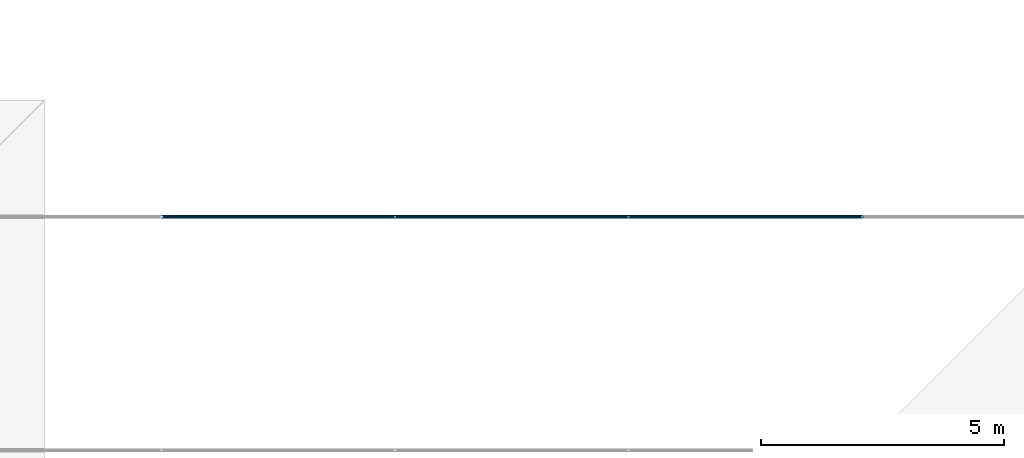
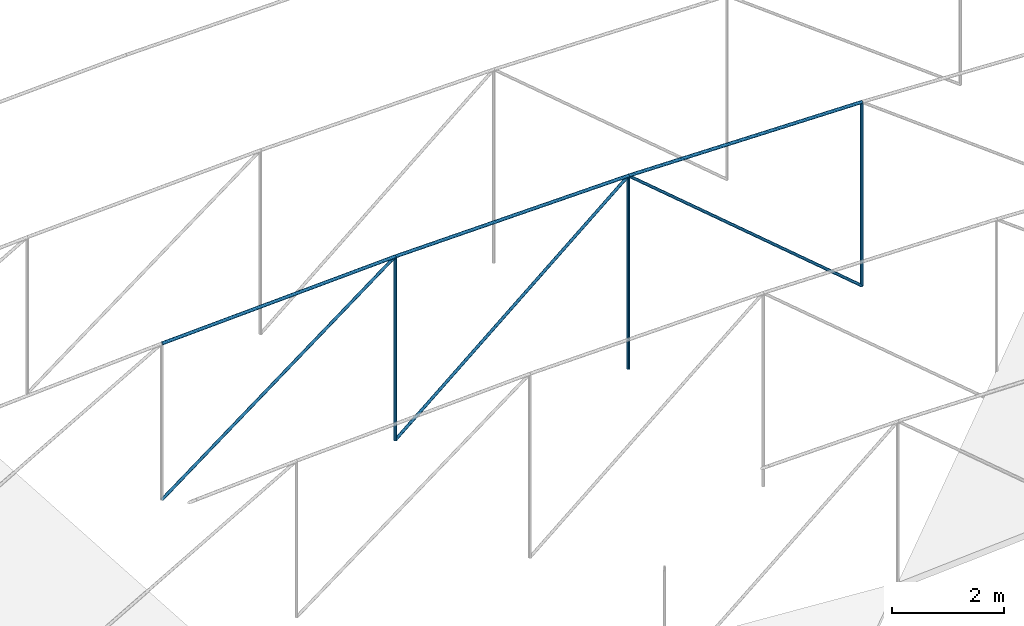
# One storey, part 24 of 50: 9 members.
"""IFC4 building model written with IfcOpenShell, lengths in metres."""

import ifcopenshell
import ifcopenshell.guid

model = None  # the IFC model being written
_history = None  # IfcOwnerHistory: only IFC2X3 demands one
_inside = {}  # id of a spatial element -> (the spatial element, [elements in it])
_under = {}  # id of a project, library or spatial element -> (it, [spatial elements below it])
_declared = {}  # id of a project -> (the project, [libraries it declares])
_typed = {}  # id of a type object -> (the type object, [elements of that type])
_made_of = {}  # id of a material, layer set ... -> (it, [elements and type objects made of it])


def new_model(schema):
    """Start an empty IFC model of exactly this schema.

    Asked for "IFC4X3", IfcOpenShell would pick the latest addendum, in which some entities
    have other attributes; the version numbers below select the first issue.
    IFC2X3 requires an IfcOwnerHistory on every rooted entity: one is made here for all.
    """
    global model, _history
    if schema == "IFC4X3":
        model = ifcopenshell.file(schema_version=(4, 3, 0, 0))
    else:
        model = ifcopenshell.file(schema=schema)
    _inside.clear()
    _under.clear()
    _declared.clear()
    _typed.clear()
    _made_of.clear()
    _history = None
    if model.schema == "IFC2X3":
        org = make("IfcOrganization", Name="unknown")
        user = make(
            "IfcPersonAndOrganization",
            ThePerson=make("IfcPerson", FamilyName="unknown"),
            TheOrganization=org,
        )
        app = make(
            "IfcApplication",
            ApplicationDeveloper=org,
            Version="unknown",
            ApplicationFullName="unknown",
            ApplicationIdentifier="unknown",
        )
        _history = make(
            "IfcOwnerHistory",
            OwningUser=user,
            OwningApplication=app,
            ChangeAction="ADDED",
            CreationDate=0,
        )
    return model


def make(cls, **values):
    """One entity of the class cls with the attributes given. An attribute that is None is left unset."""
    return model.create_entity(
        cls, **{name: value for name, value in values.items() if value is not None}
    )


def rooted(cls, **values):
    """An entity with a GlobalId (a new one), such as an element, a storey or a relation."""
    return make(cls, GlobalId=ifcopenshell.guid.new(), OwnerHistory=_history, **values)


def si_unit(unit_type, name, prefix=None):
    """IfcSIUnit, for example si_unit("LENGTHUNIT", "METRE", prefix="MILLI")."""
    return make("IfcSIUnit", UnitType=unit_type, Prefix=prefix, Name=name)


def assignment(units):
    """IfcUnitAssignment: the units of a project."""
    return None if units is None else make("IfcUnitAssignment", Units=units)


def point(xyz):
    """IfcCartesianPoint."""
    return None if xyz is None else make("IfcCartesianPoint", Coordinates=xyz)


def direction(xyz):
    """IfcDirection."""
    return None if xyz is None else make("IfcDirection", DirectionRatios=xyz)


def frame(location, z_axis=None, x_axis=None):
    """IfcAxis2Placement3D, a coordinate frame: its origin and axes. An axis left out is left unset."""
    return make(
        "IfcAxis2Placement3D",
        Location=point(location),
        Axis=direction(z_axis),
        RefDirection=direction(x_axis),
    )


def frame_2d(location, x_axis=None):
    """IfcAxis2Placement2D, a coordinate frame in the plane: its origin and x axis."""
    return make(
        "IfcAxis2Placement2D", Location=point(location), RefDirection=direction(x_axis)
    )


def origin():
    """The frame at (0, 0, 0) with its axes left unset."""
    return frame((0.0, 0.0, 0.0))


def origin_2d():
    """The frame at (0, 0) in the plane with its x axis left unset."""
    return frame_2d((0.0, 0.0))


def place(relative_to, where):
    """IfcLocalPlacement: puts the frame where relative to a parent placement (None: the world)."""
    return make(
        "IfcLocalPlacement", PlacementRelTo=relative_to, RelativePlacement=where
    )


def context(
    kind, dimensions, precision=None, world=None, true_north=None, identifier=None
):
    """IfcGeometricRepresentationContext, for example the 3D "Model" context."""
    return make(
        "IfcGeometricRepresentationContext",
        ContextIdentifier=identifier,
        ContextType=kind,
        CoordinateSpaceDimension=dimensions,
        Precision=precision,
        WorldCoordinateSystem=world,
        TrueNorth=true_north,
    )


def subcontext(parent, identifier, kind, view, scale=None):
    """IfcGeometricRepresentationSubContext, for example "Body" below "Model"."""
    return make(
        "IfcGeometricRepresentationSubContext",
        ContextIdentifier=identifier,
        ContextType=kind,
        ParentContext=parent,
        TargetScale=scale,
        TargetView=view,
    )


def project(units=None, contexts=None):
    """IfcProject with its units and contexts."""
    return rooted(
        "IfcProject",
        Name="project",
        RepresentationContexts=contexts,
        UnitsInContext=assignment(units),
    )


def spatial(cls, under=None, at=None, **own):
    """A site, building, storey or space (cls), placed at a placement, below another one or the project."""
    s = rooted(cls, ObjectPlacement=at, **own)
    if under is not None:
        _under.setdefault(under.id(), (under, []))[1].append(s)
    return s


def profile(cls, at=None, kind="AREA", **sizes):
    """A parametric profile (cls). Its sizes go by their IFC names, for example OverallWidth=200.0."""
    return make(cls, ProfileType=kind, Position=at, **sizes)


def circle(**sizes):
    """IfcCircleProfileDef."""
    return profile("IfcCircleProfileDef", **sizes)


def extrude(swept, where, along, depth):
    """IfcExtrudedAreaSolid: the profile swept, set in the frame where, extruded along a direction by depth."""
    return make(
        "IfcExtrudedAreaSolid",
        SweptArea=swept,
        Position=where,
        ExtrudedDirection=direction(along),
        Depth=depth,
    )


def shape(context_of_items, identifier, shape_type, items):
    """IfcShapeRepresentation: the items that make up one representation, for example the "Body"."""
    return make(
        "IfcShapeRepresentation",
        ContextOfItems=context_of_items,
        RepresentationIdentifier=identifier,
        RepresentationType=shape_type,
        Items=items,
    )


def material(Name=None, Category=None):
    """IfcMaterial."""
    return make("IfcMaterial", Name=Name, Category=Category)


def material_profile(
    of_material, cross_section, Name=None, Category=None, Priority=None
):
    """IfcMaterialProfile: a cross section and its material."""
    return make(
        "IfcMaterialProfile",
        Name=Name,
        Material=of_material,
        Profile=cross_section,
        Priority=Priority,
        Category=Category,
    )


def profile_set(profiles, Name=None, composite=None):
    """IfcMaterialProfileSet."""
    return make(
        "IfcMaterialProfileSet",
        Name=Name,
        MaterialProfiles=profiles,
        CompositeProfile=composite,
    )


def made_of(thing, what):
    """Note that an element or type object is made of a material, layer set ...; save() writes the relation."""
    if what is not None:
        _made_of.setdefault(what.id(), (what, []))[1].append(thing)
    return thing


def type_object(cls, material=None, **own):
    """A type object (cls), such as IfcWallType, which elements share."""
    return made_of(rooted(cls, **own), material)


def element(
    cls,
    number,
    at=None,
    inside=None,
    cuts=None,
    type_object=None,
    material=None,
    context=None,
    identifier="Body",
    shape_type=None,
    held_by="IfcProductDefinitionShape",
    body=None,
    shapes=None,
    **own,
):
    """One element of the class cls, such as IfcWall. Its Tag is "e" and its number.

    at: its placement. inside: the storey or other place that contains it. cuts: it is an
    opening in that element (IfcRelVoidsElement). A single representation is given by context,
    identifier, shape_type and body (its items); several are given by shapes. held_by: the class
    of the entity that holds the representations. save() writes the other relations.
    """
    e = rooted(cls, Tag="e%d" % number, ObjectPlacement=at, **own)
    if body is not None:
        shapes = [shape(context, identifier, shape_type, body)]
    if shapes is not None:
        e.Representation = make(held_by, Representations=shapes)
    if inside is not None:
        _inside.setdefault(inside.id(), (inside, []))[1].append(e)
    if cuts is not None:
        rooted(
            "IfcRelVoidsElement", RelatingBuildingElement=cuts, RelatedOpeningElement=e
        )
    if type_object is not None:
        _typed.setdefault(type_object.id(), (type_object, []))[1].append(e)
    return made_of(e, material)


def aggregate(whole, parts):
    """IfcRelAggregates: a whole, such as a stair, and the parts it consists of."""
    return rooted("IfcRelAggregates", RelatingObject=whole, RelatedObjects=parts)


def save(model, path):
    """Write the relations noted so far, then the file.

    IfcRelAggregates (storeys below a building ...), IfcRelContainedInSpatialStructure (elements
    in a storey), IfcRelDefinesByType, IfcRelAssociatesMaterial and IfcRelDeclares: one each for
    every whole, place, type object, material and project.
    """
    for whole, parts in _under.values():
        aggregate(whole, parts)
    for where, things in _inside.values():
        rooted(
            "IfcRelContainedInSpatialStructure",
            RelatedElements=things,
            RelatingStructure=where,
        )
    for kind, things in _typed.values():
        rooted("IfcRelDefinesByType", RelatedObjects=things, RelatingType=kind)
    for what, things in _made_of.values():
        rooted("IfcRelAssociatesMaterial", RelatedObjects=things, RelatingMaterial=what)
    for by, libraries in _declared.values():
        rooted("IfcRelDeclares", RelatingContext=by, RelatedDefinitions=libraries)
    model.write(path)


model = new_model("IFC4")

# Units and contexts
model_context = context("Model", 3, precision=1e-05, world=origin(), true_north=direction((0.0, 1.0)))
body_context = subcontext(model_context, "Body", "Model", "MODEL_VIEW")
ifc_project = project(units=[si_unit("LENGTHUNIT", "METRE"), si_unit("AREAUNIT", "SQUARE_METRE"), si_unit("VOLUMEUNIT", "CUBIC_METRE"), si_unit("PLANEANGLEUNIT", "RADIAN"), si_unit("MASSUNIT", "GRAM", prefix="KILO")], contexts=[model_context])

# Site, building, storey
site_placement = place(None, origin())
site = spatial("IfcSite", under=ifc_project, at=site_placement, CompositionType="ELEMENT")
building_placement = place(site_placement, origin())
building = spatial("IfcBuilding", under=site, at=building_placement, Name="Zevrakil Square Congress Hotel", CompositionType="ELEMENT")
storey_placement = place(building_placement, frame((0.0, 0.0, 21.5)))
storey = spatial("IfcBuildingStorey", under=building, at=storey_placement, Name="L06", CompositionType="ELEMENT", Elevation=21.5)

# Members
ifc_material_1 = material(Name="Steel S355", Category="steel")
ifc_material_profile_1 = material_profile(ifc_material_1, circle(Radius=0.030029296875, at=origin_2d()), Name="CABLE RD60")
ifc_profile_set_1 = profile_set([ifc_material_profile_1], Name="Steel S355")
member_type_1 = type_object("IfcMemberType", Name="MEM-CABLE-RD60", PredefinedType="USERDEFINED", material=ifc_profile_set_1)
member_1_placement = place(storey_placement, frame((132.0, 98.39990234375, -0.91796875), z_axis=(0.799174909116, 0.0, 0.601098548192), x_axis=(0.0, 1.0, 0.0)))
element("IfcMember", 1, at=member_1_placement, inside=storey, type_object=member_type_1, Name="Congress cable-truss web diagonal CBD-07-4", ObjectType="ROOF CABLE", PredefinedType="USERDEFINED", context=body_context, shape_type="SweptSolid", body=[
    extrude(circle(Radius=0.030029296875, at=origin_2d()), origin(), (0.0, 0.0, 1.0), 6.00634765625),
])
member_2_placement = place(storey_placement, frame((136.800048828125, 98.39990234375, -1.302001953125), z_axis=(0.0, 0.0, 1.0), x_axis=(1.0, 0.0, 0.0)))
element("IfcMember", 2, at=member_2_placement, inside=storey, type_object=member_type_1, Name="Congress cable-truss vertical tie CBW-07-4", ObjectType="ROOF CABLE", PredefinedType="USERDEFINED", context=body_context, shape_type="SweptSolid", body=[
    extrude(circle(Radius=0.030029296875, at=origin_2d()), origin(), (0.0, 0.0, 1.0), 3.994384765625),
])
member_3_placement = place(storey_placement, frame((136.800048828125, 98.39990234375, -1.302001953125), z_axis=(0.76256769405, 0.0, 0.646908426279), x_axis=(0.0, 1.0, 0.0)))
element("IfcMember", 3, at=member_3_placement, inside=storey, type_object=member_type_1, Name="Congress cable-truss web diagonal CBD-07-5", ObjectType="ROOF CABLE", PredefinedType="USERDEFINED", context=body_context, shape_type="SweptSolid", body=[
    extrude(circle(Radius=0.030029296875, at=origin_2d()), origin(), (0.0, 0.0, 1.0), 6.294677734375),
])
member_4_placement = place(storey_placement, frame((141.60009765625, 98.39990234375, -1.429931640625), z_axis=(0.0, 0.0, 1.0), x_axis=(1.0, 0.0, 0.0)))
element("IfcMember", 4, at=member_4_placement, inside=storey, type_object=member_type_1, Name="Congress cable-truss vertical tie CBW-07-5", ObjectType="ROOF CABLE", PredefinedType="USERDEFINED", context=body_context, shape_type="SweptSolid", body=[
    extrude(circle(Radius=0.030029296875, at=origin_2d()), origin(), (0.0, 0.0, 1.0), 4.199951171875),
])
member_5_placement = place(storey_placement, frame((146.39990234375, 98.39990234375, -1.302001953125), z_axis=(-0.762551461839, 0.0, 0.646927560123), x_axis=(0.0, -1.0, 0.0)))
element("IfcMember", 5, at=member_5_placement, inside=storey, type_object=member_type_1, Name="Congress cable-truss web diagonal CBD-07-6", ObjectType="ROOF CABLE", PredefinedType="USERDEFINED", context=body_context, shape_type="SweptSolid", body=[
    extrude(circle(Radius=0.030029296875, at=origin_2d()), origin(), (0.0, 0.0, 1.0), 6.29443359375),
])
member_6_placement = place(storey_placement, frame((146.39990234375, 98.39990234375, -1.302001953125), z_axis=(0.0, 0.0, 1.0), x_axis=(1.0, 0.0, 0.0)))
element("IfcMember", 6, at=member_6_placement, inside=storey, type_object=member_type_1, Name="Congress cable-truss vertical tie CBW-07-6", ObjectType="ROOF CABLE", PredefinedType="USERDEFINED", context=body_context, shape_type="SweptSolid", body=[
    extrude(circle(Radius=0.030029296875, at=origin_2d()), origin(), (0.0, 0.0, 1.0), 3.994384765625),
])
ifc_material_2 = material(Name="Steel S355", Category="steel")
ifc_material_profile_2 = material_profile(ifc_material_2, circle(Radius=0.033935546875, at=origin_2d()), Name="CABLE RD68")
ifc_profile_set_2 = profile_set([ifc_material_profile_2], Name="Steel S355")
member_type_2 = type_object("IfcMemberType", Name="MEM-CABLE-RD68", PredefinedType="USERDEFINED", material=ifc_profile_set_2)
member_7_placement = place(storey_placement, frame((132.0, 98.39990234375, 2.47998046875), z_axis=(0.999022402478, 0.0, 0.044206779419), x_axis=(0.0, 1.0, 0.0)))
element("IfcMember", 7, at=member_7_placement, inside=storey, type_object=member_type_2, Name="Congress lenticular upper cable chord CBU-07 seg 4", ObjectType="ROOF CABLE", PredefinedType="USERDEFINED", context=body_context, shape_type="SweptSolid", body=[
    extrude(circle(Radius=0.033935546875, at=origin_2d()), origin(), (0.0, 0.0, 1.0), 4.8046875),
])
member_8_placement = place(storey_placement, frame((136.800048828125, 98.39990234375, 2.6923828125), z_axis=(0.999869224064, 0.0, 0.016172036684), x_axis=(0.0, 1.0, 0.0)))
element("IfcMember", 8, at=member_8_placement, inside=storey, type_object=member_type_2, Name="Congress lenticular upper cable chord CBU-07 seg 5", ObjectType="ROOF CABLE", PredefinedType="USERDEFINED", context=body_context, shape_type="SweptSolid", body=[
    extrude(circle(Radius=0.033935546875, at=origin_2d()), origin(), (0.0, 0.0, 1.0), 4.80078125),
])
member_9_placement = place(storey_placement, frame((141.60009765625, 98.39990234375, 2.77001953125), z_axis=(0.999869210762, 0.0, -0.016172859055), x_axis=(0.0, 1.0, 0.0)))
element("IfcMember", 9, at=member_9_placement, inside=storey, type_object=member_type_2, Name="Congress lenticular upper cable chord CBU-07 seg 6", ObjectType="ROOF CABLE", PredefinedType="USERDEFINED", context=body_context, shape_type="SweptSolid", body=[
    extrude(circle(Radius=0.033935546875, at=origin_2d()), origin(), (0.0, 0.0, 1.0), 4.800537109375),
])

save(model, "model.ifc")
